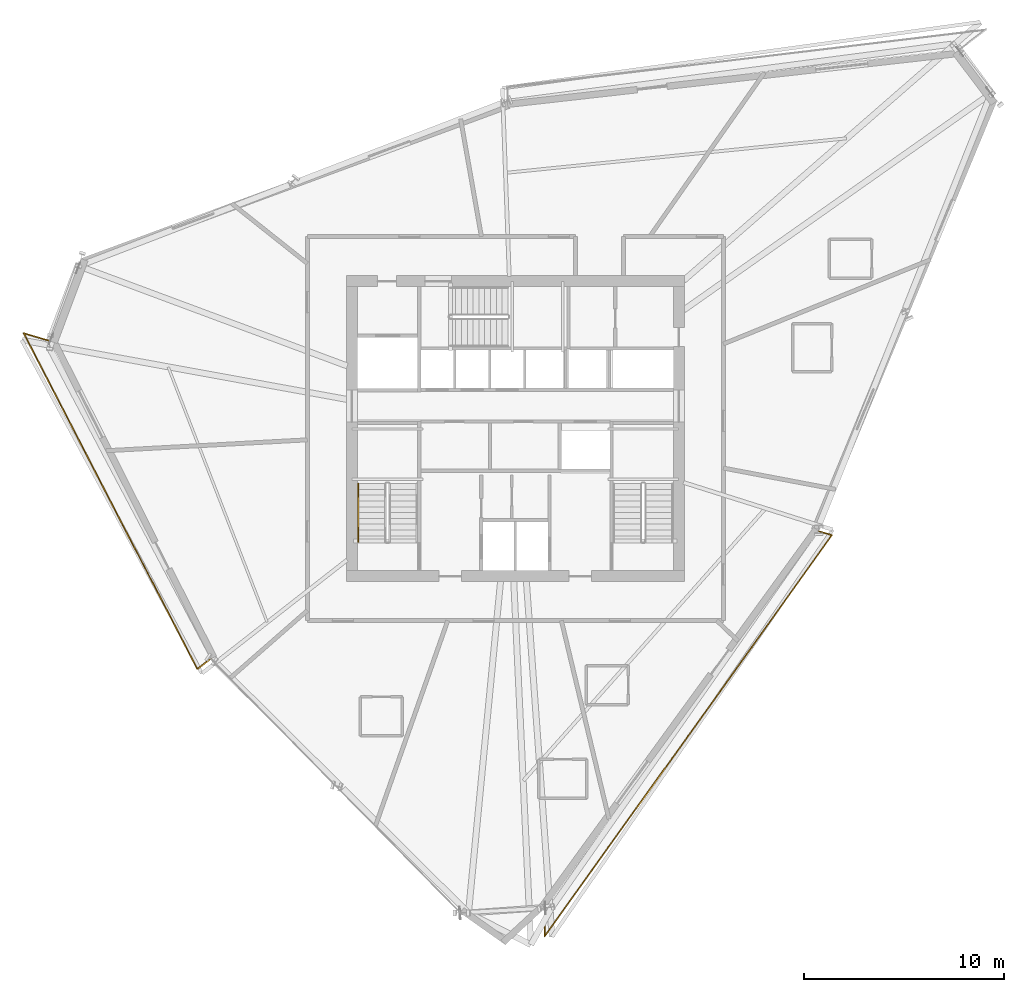
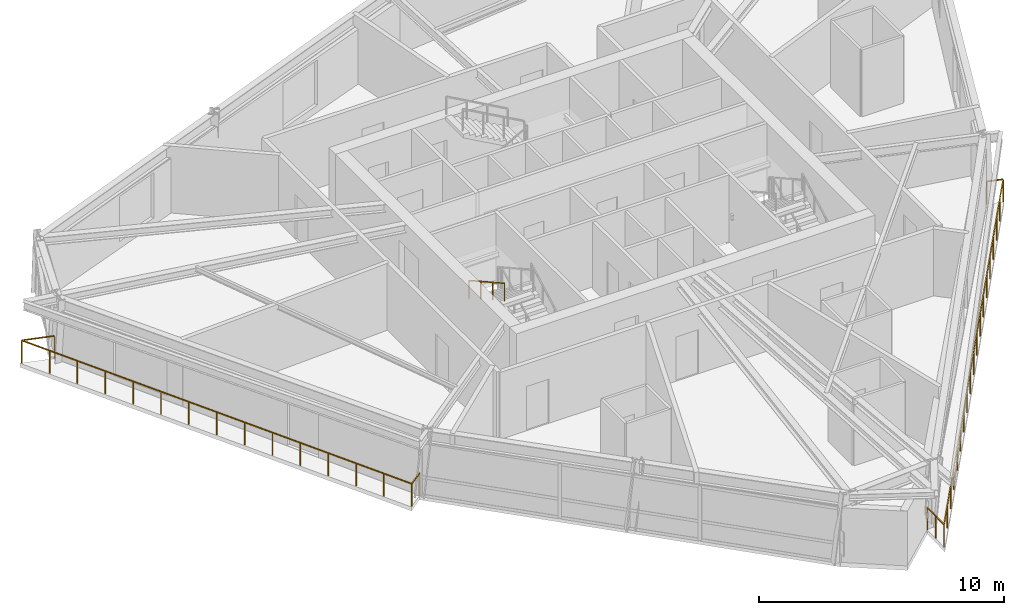
# One storey, part 12 of 14: 3 railings.
"""IFC4 building model written with IfcOpenShell, lengths in metres."""

from ifc_helpers import new_model, si_unit, direction, frame, origin, origin_2d, place, context, subcontext, project, spatial, rectangle, extrude, material, type_object, element, save


model = new_model("IFC4")

# Units and contexts
model_context = context("Model", 3, precision=1e-05, world=origin(), true_north=direction((0.0, 1.0)))
body_context = subcontext(model_context, "Body", "Model", "MODEL_VIEW")
ifc_project = project(units=[si_unit("LENGTHUNIT", "METRE"), si_unit("AREAUNIT", "SQUARE_METRE"), si_unit("VOLUMEUNIT", "CUBIC_METRE"), si_unit("PLANEANGLEUNIT", "RADIAN"), si_unit("MASSUNIT", "GRAM", prefix="KILO")], contexts=[model_context])

# Site, building, storey
site_placement = place(None, origin())
site = spatial("IfcSite", under=ifc_project, at=site_placement, CompositionType="ELEMENT")
building_placement = place(site_placement, origin())
building = spatial("IfcBuilding", under=site, at=building_placement, Name="Olszyna Solenne Hotel", CompositionType="ELEMENT")
storey_placement = place(building_placement, frame((0.0, 0.0, 185.64990234375)))
storey = spatial("IfcBuildingStorey", under=building, at=storey_placement, Name="L49", CompositionType="ELEMENT", Elevation=185.64990234375)

# Railings
ifc_material_1 = material(Name="Anodised bronze aluminium", Category="aluminium")
railing_type_1 = type_object("IfcRailingType", Name="GR-110", PredefinedType="BALUSTRADE", material=ifc_material_1)
railing_1_placement = place(storey_placement, frame((14.743896484375, 30.9775390625, 0.0)))
element("IfcRailing", 1, at=railing_1_placement, inside=storey, type_object=railing_type_1, Name="Loggia balcony balustrade guard GR-L49-LG2", PredefinedType="BALUSTRADE", context=body_context, shape_type="SweptSolid", body=[
    extrude(rectangle(XDim=0.048095703125, YDim=0.048095703125, at=origin_2d()), frame((0.0, 0.0, 1.1259765625), z_axis=(-0.95864082966, 0.284618621509, 0.0), x_axis=(-0.284618621509, -0.95864082966, 0.0)), (0.0, 0.0, 1.0), 1.37939453125),
    extrude(rectangle(XDim=0.048095703125, YDim=0.048095703125, at=origin_2d()), frame((-1.322265625, 0.392578125, 1.1259765625), z_axis=(0.45925740824, -0.88830323256, 0.0), x_axis=(0.88830323256, 0.45925740824, 0.0)), (0.0, 0.0, 1.0), 18.901611328125),
    extrude(rectangle(XDim=0.048095703125, YDim=0.048095703125, at=origin_2d()), frame((7.3583984375, -16.397705078125, 1.1259765625), z_axis=(0.795159993711, 0.606399690304, 0.0), x_axis=(-0.606399690304, 0.795159993711, 0.0)), (0.0, 0.0, 1.0), 0.845947265625),
    extrude(rectangle(XDim=0.0419921875, YDim=0.0419921875, at=origin_2d()), origin(), (0.0, 0.0, 1.0), 1.101806640625),
    extrude(rectangle(XDim=0.0419921875, YDim=0.0419921875, at=origin_2d()), frame((-1.322265625, 0.392578125, 0.0)), (0.0, 0.0, 1.0), 1.101806640625),
    extrude(rectangle(XDim=0.0419921875, YDim=0.0419921875, at=origin_2d()), frame((-0.7021484375, -0.806640625, 0.0)), (0.0, 0.0, 1.0), 1.101806640625),
    extrude(rectangle(XDim=0.0419921875, YDim=0.0419921875, at=origin_2d()), frame((-0.082275390625, -2.006103515625, 0.0)), (0.0, 0.0, 1.0), 1.101806640625),
    extrude(rectangle(XDim=0.0419921875, YDim=0.0419921875, at=origin_2d()), frame((0.537841796875, -3.205322265625, 0.0)), (0.0, 0.0, 1.0), 1.101806640625),
    extrude(rectangle(XDim=0.0419921875, YDim=0.0419921875, at=origin_2d()), frame((1.157958984375, -4.404541015625, 0.0)), (0.0, 0.0, 1.0), 1.101806640625),
    extrude(rectangle(XDim=0.0419921875, YDim=0.0419921875, at=origin_2d()), frame((1.778076171875, -5.60400390625, 0.0)), (0.0, 0.0, 1.0), 1.101806640625),
    extrude(rectangle(XDim=0.0419921875, YDim=0.0419921875, at=origin_2d()), frame((2.39794921875, -6.80322265625, 0.0)), (0.0, 0.0, 1.0), 1.101806640625),
    extrude(rectangle(XDim=0.0419921875, YDim=0.0419921875, at=origin_2d()), frame((3.01806640625, -8.00244140625, 0.0)), (0.0, 0.0, 1.0), 1.101806640625),
    extrude(rectangle(XDim=0.0419921875, YDim=0.0419921875, at=origin_2d()), frame((3.63818359375, -9.201904296875, 0.0)), (0.0, 0.0, 1.0), 1.101806640625),
    extrude(rectangle(XDim=0.0419921875, YDim=0.0419921875, at=origin_2d()), frame((4.258056640625, -10.401123046875, 0.0)), (0.0, 0.0, 1.0), 1.101806640625),
    extrude(rectangle(XDim=0.0419921875, YDim=0.0419921875, at=origin_2d()), frame((4.878173828125, -11.6005859375, 0.0)), (0.0, 0.0, 1.0), 1.101806640625),
    extrude(rectangle(XDim=0.0419921875, YDim=0.0419921875, at=origin_2d()), frame((5.498291015625, -12.7998046875, 0.0)), (0.0, 0.0, 1.0), 1.101806640625),
    extrude(rectangle(XDim=0.0419921875, YDim=0.0419921875, at=origin_2d()), frame((6.118408203125, -13.9990234375, 0.0)), (0.0, 0.0, 1.0), 1.101806640625),
    extrude(rectangle(XDim=0.0419921875, YDim=0.0419921875, at=origin_2d()), frame((6.73828125, -15.198486328125, 0.0)), (0.0, 0.0, 1.0), 1.101806640625),
    extrude(rectangle(XDim=0.0419921875, YDim=0.0419921875, at=origin_2d()), frame((7.3583984375, -16.397705078125, 0.0)), (0.0, 0.0, 1.0), 1.101806640625),
    extrude(rectangle(XDim=0.0419921875, YDim=0.0419921875, at=origin_2d()), frame((8.031005859375, -15.884765625, 0.0)), (0.0, 0.0, 1.0), 1.101806640625),
])
railing_2_placement = place(storey_placement, frame((39.480224609375, 2.630126953125, 0.0)))
element("IfcRailing", 2, at=railing_2_placement, inside=storey, type_object=railing_type_1, Name="Loggia balcony balustrade guard GR-L49-LG3", PredefinedType="BALUSTRADE", context=body_context, shape_type="SweptSolid", body=[
    extrude(rectangle(XDim=0.048095703125, YDim=0.048095703125, at=origin_2d()), frame((0.0, 0.0, 1.1259765625), z_axis=(-0.016523823953, -0.999863472301, 0.0), x_axis=(0.999863472301, -0.016523823953, 0.0)), (0.0, 0.0, 1.0), 1.41845703125),
    extrude(rectangle(XDim=0.048095703125, YDim=0.048095703125, at=origin_2d()), frame((-0.0234375, -1.418212890625, 1.1259765625), z_axis=(0.58224568731, 0.813012890186, 0.0), x_axis=(-0.813012890186, 0.58224568731, 0.0)), (0.0, 0.0, 1.0), 24.6767578125),
    extrude(rectangle(XDim=0.048095703125, YDim=0.048095703125, at=origin_2d()), frame((14.344482421875, 18.644287109375, 1.1259765625), z_axis=(-0.95864082966, 0.284618621509, 0.0), x_axis=(-0.284618621509, -0.95864082966, 0.0)), (0.0, 0.0, 1.0), 0.689697265625),
    extrude(rectangle(XDim=0.0419921875, YDim=0.0419921875, at=origin_2d()), origin(), (0.0, 0.0, 1.0), 1.101806640625),
    extrude(rectangle(XDim=0.0419921875, YDim=0.0419921875, at=origin_2d()), frame((-0.01171875, -0.708984375, 0.0)), (0.0, 0.0, 1.0), 1.101806640625),
    extrude(rectangle(XDim=0.0419921875, YDim=0.0419921875, at=origin_2d()), frame((-0.0234375, -1.418212890625, 0.0)), (0.0, 0.0, 1.0), 1.101806640625),
    extrude(rectangle(XDim=0.0419921875, YDim=0.0419921875, at=origin_2d()), frame((0.77490234375, -0.3037109375, 0.0)), (0.0, 0.0, 1.0), 1.101806640625),
    extrude(rectangle(XDim=0.0419921875, YDim=0.0419921875, at=origin_2d()), frame((1.572998046875, 0.81103515625, 0.0)), (0.0, 0.0, 1.0), 1.101806640625),
    extrude(rectangle(XDim=0.0419921875, YDim=0.0419921875, at=origin_2d()), frame((2.37109375, 1.925537109375, 0.0)), (0.0, 0.0, 1.0), 1.101806640625),
    extrude(rectangle(XDim=0.0419921875, YDim=0.0419921875, at=origin_2d()), frame((3.16943359375, 3.0400390625, 0.0)), (0.0, 0.0, 1.0), 1.101806640625),
    extrude(rectangle(XDim=0.0419921875, YDim=0.0419921875, at=origin_2d()), frame((3.9677734375, 4.15478515625, 0.0)), (0.0, 0.0, 1.0), 1.101806640625),
    extrude(rectangle(XDim=0.0419921875, YDim=0.0419921875, at=origin_2d()), frame((4.765869140625, 5.269287109375, 0.0)), (0.0, 0.0, 1.0), 1.101806640625),
    extrude(rectangle(XDim=0.0419921875, YDim=0.0419921875, at=origin_2d()), frame((5.56396484375, 6.3837890625, 0.0)), (0.0, 0.0, 1.0), 1.101806640625),
    extrude(rectangle(XDim=0.0419921875, YDim=0.0419921875, at=origin_2d()), frame((6.3623046875, 7.49853515625, 0.0)), (0.0, 0.0, 1.0), 1.101806640625),
    extrude(rectangle(XDim=0.0419921875, YDim=0.0419921875, at=origin_2d()), frame((7.16064453125, 8.613037109375, 0.0)), (0.0, 0.0, 1.0), 1.101806640625),
    extrude(rectangle(XDim=0.0419921875, YDim=0.0419921875, at=origin_2d()), frame((7.958740234375, 9.7275390625, 0.0)), (0.0, 0.0, 1.0), 1.101806640625),
    extrude(rectangle(XDim=0.0419921875, YDim=0.0419921875, at=origin_2d()), frame((8.7568359375, 10.84228515625, 0.0)), (0.0, 0.0, 1.0), 1.101806640625),
    extrude(rectangle(XDim=0.0419921875, YDim=0.0419921875, at=origin_2d()), frame((9.55517578125, 11.956787109375, 0.0)), (0.0, 0.0, 1.0), 1.101806640625),
    extrude(rectangle(XDim=0.0419921875, YDim=0.0419921875, at=origin_2d()), frame((10.353515625, 13.0712890625, 0.0)), (0.0, 0.0, 1.0), 1.101806640625),
    extrude(rectangle(XDim=0.0419921875, YDim=0.0419921875, at=origin_2d()), frame((11.151611328125, 14.18603515625, 0.0)), (0.0, 0.0, 1.0), 1.101806640625),
    extrude(rectangle(XDim=0.0419921875, YDim=0.0419921875, at=origin_2d()), frame((11.94970703125, 15.300537109375, 0.0)), (0.0, 0.0, 1.0), 1.101806640625),
    extrude(rectangle(XDim=0.0419921875, YDim=0.0419921875, at=origin_2d()), frame((12.748046875, 16.4150390625, 0.0)), (0.0, 0.0, 1.0), 1.101806640625),
    extrude(rectangle(XDim=0.0419921875, YDim=0.0419921875, at=origin_2d()), frame((13.54638671875, 17.52978515625, 0.0)), (0.0, 0.0, 1.0), 1.101806640625),
    extrude(rectangle(XDim=0.0419921875, YDim=0.0419921875, at=origin_2d()), frame((14.344482421875, 18.644287109375, 0.0)), (0.0, 0.0, 1.0), 1.101806640625),
    extrude(rectangle(XDim=0.0419921875, YDim=0.0419921875, at=origin_2d()), frame((13.683349609375, 18.840576171875, 0.0)), (0.0, 0.0, 1.0), 1.101806640625),
])
ifc_material_2 = material(Name="Steel S355J2", Category="steel")
railing_type_2 = type_object("IfcRailingType", Name="HR-090", PredefinedType="HANDRAIL", material=ifc_material_2)
railing_3_placement = place(storey_placement, frame((30.14990234375, 23.85009765625, 1.9365234375)))
element("IfcRailing", 3, at=railing_3_placement, inside=storey, type_object=railing_type_2, Name="L49 ST1 stair handrail 2", PredefinedType="HANDRAIL", context=body_context, shape_type="SweptSolid", body=[
    extrude(rectangle(XDim=0.048095703125, YDim=0.048095703125, at=origin_2d()), frame((0.0, 0.0, 0.8759765625), z_axis=(0.0, -0.873858693841, 0.486179990537), x_axis=(1.0, 0.0, 0.0)), (0.0, 0.0, 1.0), 3.31884765625),
    extrude(rectangle(XDim=0.0419921875, YDim=0.0419921875, at=origin_2d()), origin(), (0.0, 0.0, 1.0), 0.851806640625),
    extrude(rectangle(XDim=0.0419921875, YDim=0.0419921875, at=origin_2d()), frame((0.0, -0.966796875, 0.537841796875)), (0.0, 0.0, 1.0), 0.851806640625),
    extrude(rectangle(XDim=0.0419921875, YDim=0.0419921875, at=origin_2d()), frame((0.0, -1.933349609375, 1.07568359375)), (0.0, 0.0, 1.0), 0.851806640625),
    extrude(rectangle(XDim=0.0419921875, YDim=0.0419921875, at=origin_2d()), frame((0.0, -2.900146484375, 1.613525390625)), (0.0, 0.0, 1.0), 0.851806640625),
])

save(model, "model.ifc")
